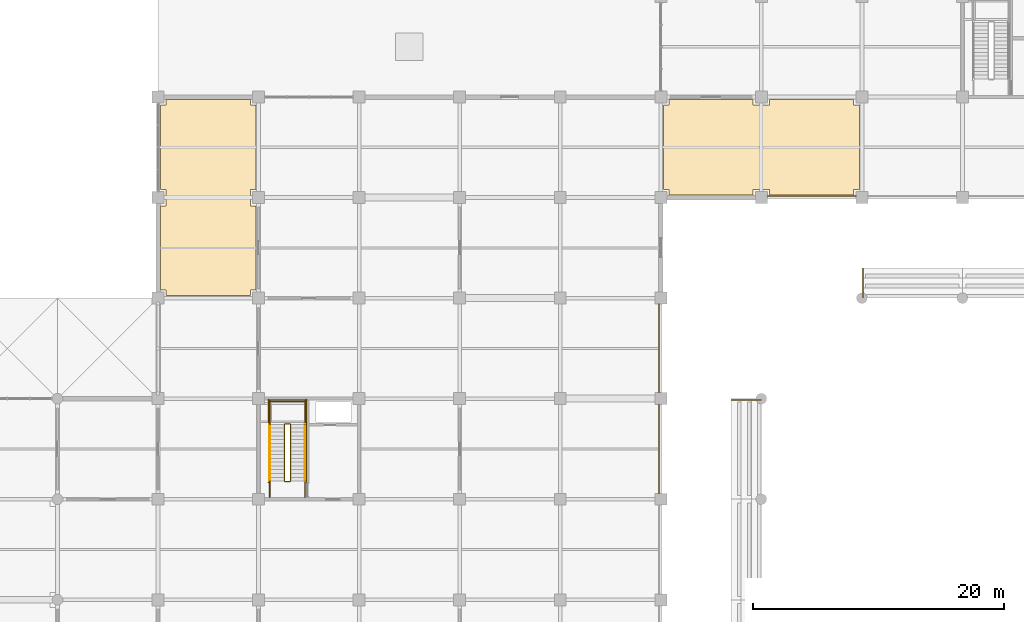
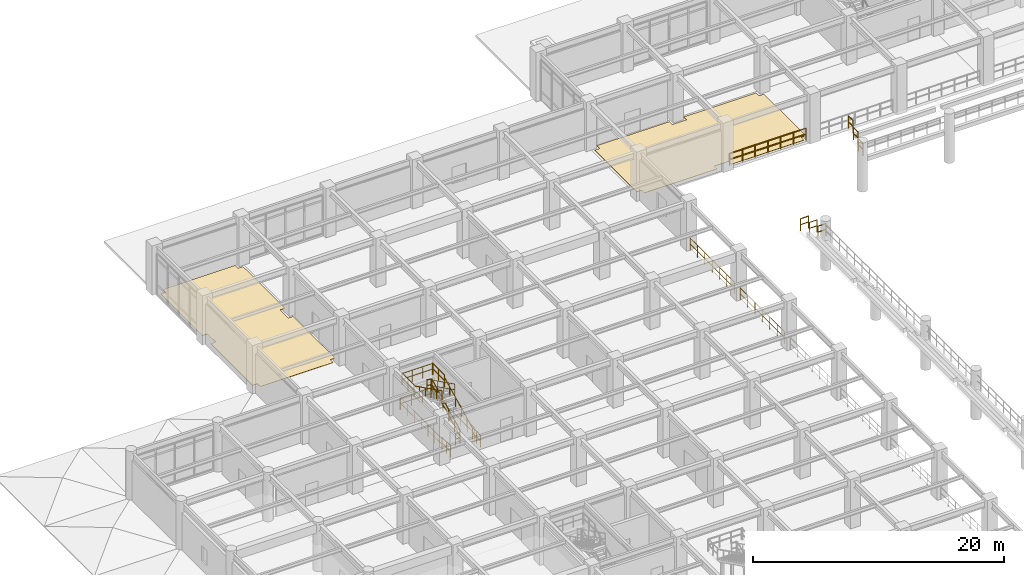
# One storey, part 106 of 109: 23 railings, 2 coverings.
"""IFC4 building model written with IfcOpenShell, lengths in metres."""

from ifc_helpers import new_model, si_unit, direction, frame, origin, origin_2d, place, context, subcontext, project, spatial, polyline, circle, outline, extrude, material, layer, layer_set, type_object, element, save


model = new_model("IFC4")

# Units and contexts
model_context = context("Model", 3, precision=1e-05, world=origin(), true_north=direction((0.0, 1.0)))
body_context = subcontext(model_context, "Body", "Model", "MODEL_VIEW")
ifc_project = project(units=[si_unit("LENGTHUNIT", "METRE"), si_unit("AREAUNIT", "SQUARE_METRE"), si_unit("VOLUMEUNIT", "CUBIC_METRE"), si_unit("PLANEANGLEUNIT", "RADIAN"), si_unit("MASSUNIT", "GRAM", prefix="KILO")], contexts=[model_context])

# Site, building, storey
site_placement = place(None, origin())
site = spatial("IfcSite", under=ifc_project, at=site_placement, CompositionType="ELEMENT")
building_placement = place(site_placement, origin())
building = spatial("IfcBuilding", under=site, at=building_placement, Name="Haebicheon Civic Stadium", CompositionType="ELEMENT")
storey_placement = place(building_placement, frame((0.0, 0.0, 9.60009765625)))
storey = spatial("IfcBuildingStorey", under=building, at=storey_placement, Name="L03", CompositionType="ELEMENT", Elevation=9.60009765625)

# Coverings
ifc_material_1 = material(Name="Quartz epoxy resin mortar", Category="concrete")
ifc_layer = layer(ifc_material_1, 0.030029296875, Name="Quartz epoxy resin mortar")
ifc_layer_set = layer_set([ifc_layer], Name="Quartz epoxy resin mortar")
covering_type = type_object("IfcCoveringType", Name="COV-FLR-EPX", PredefinedType="FLOORING", material=ifc_layer_set)
covering_1_placement = place(storey_placement, origin())
element("IfcCovering", 1, at=covering_1_placement, inside=storey, type_object=covering_type, material=ifc_layer_set, Name="L03 Sponsor Reception Suite non-slip floor finish", PredefinedType="FLOORING", context=body_context, shape_type="SweptSolid", body=[
    extrude(outline(polyline([(24.64990234375, 144.199951171875), (24.64990234375, 144.64990234375), (24.199951171875, 144.64990234375), (24.199951171875, 151.35009765625), (24.64990234375, 151.35009765625), (24.64990234375, 152.64990234375), (24.199951171875, 152.64990234375), (24.199951171875, 159.35009765625), (24.64990234375, 159.35009765625), (24.64990234375, 159.800048828125), (31.35009765625, 159.800048828125), (31.35009765625, 159.35009765625), (31.800048828125, 159.35009765625), (31.800048828125, 152.64990234375), (31.35009765625, 152.64990234375), (31.35009765625, 151.35009765625), (31.800048828125, 151.35009765625), (31.800048828125, 144.64990234375), (31.35009765625, 144.64990234375), (31.35009765625, 144.199951171875), (24.64990234375, 144.199951171875)])), origin(), (0.0, 0.0, 1.0), 0.02978515625),
])
covering_2_placement = place(storey_placement, origin())
element("IfcCovering", 2, at=covering_2_placement, inside=storey, type_object=covering_type, material=ifc_layer_set, Name="L03 East Bowl Club Concourse non-slip floor finish", PredefinedType="FLOORING", context=body_context, shape_type="SweptSolid", body=[
    extrude(outline(polyline([(64.199951171875, 159.35009765625), (64.64990234375, 159.35009765625), (64.64990234375, 159.800048828125), (71.35009765625, 159.800048828125), (71.35009765625, 159.35009765625), (72.64990234375, 159.35009765625), (72.64990234375, 159.800048828125), (79.35009765625, 159.800048828125), (79.35009765625, 159.35009765625), (79.800048828125, 159.35009765625), (79.800048828125, 152.64990234375), (79.35009765625, 152.64990234375), (79.35009765625, 152.199951171875), (72.64990234375, 152.199951171875), (72.64990234375, 152.64990234375), (71.35009765625, 152.64990234375), (71.35009765625, 152.199951171875), (64.64990234375, 152.199951171875), (64.64990234375, 152.64990234375), (64.199951171875, 152.64990234375), (64.199951171875, 159.35009765625)])), origin(), (0.0, 0.0, 1.0), 0.02978515625),
])

# Railings
ifc_material_2 = material(Name="Stainless steel 316 and laminated glass", Category="steel")
railing_type_1 = type_object("IfcRailingType", Name="RL-BAL-1200", PredefinedType="BALUSTRADE", material=ifc_material_2)
for number, where, name in (
    (3, (63.860107421875, 128.47509765625, 0.0), "L03 concourse bowl-edge balustrade 053"),
    (4, (63.860107421875, 136.47509765625, 0.0), "L03 concourse bowl-edge balustrade 054"),
):
    element("IfcRailing", number, at=place(storey_placement, frame(where)), inside=storey, type_object=railing_type_1, material=ifc_material_2, Name=name, PredefinedType="BALUSTRADE", context=body_context, shape_type="SweptSolid", body=[
        extrude(circle(Radius=0.02392578125, at=origin_2d()), frame((0.0, 0.0, 1.17578125), z_axis=(0.0, 1.0, 0.0), x_axis=(-1.0, 0.0, 0.0)), (0.0, 0.0, 1.0), 7.0498046875),
        extrude(circle(Radius=0.02392578125, at=origin_2d()), frame((0.0, 0.0, 0.60009765625), z_axis=(0.0, 1.0, 0.0), x_axis=(-1.0, 0.0, 0.0)), (0.0, 0.0, 1.0), 7.0498046875),
        extrude(circle(Radius=0.02099609375, at=origin_2d()), origin(), (0.0, 0.0, 1.0), 1.15185546875),
        extrude(circle(Radius=0.02099609375, at=origin_2d()), frame((0.0, 1.175048828125, 0.0)), (0.0, 0.0, 1.0), 1.15185546875),
        extrude(circle(Radius=0.02099609375, at=origin_2d()), frame((0.0, 2.349853515625, 0.0)), (0.0, 0.0, 1.0), 1.15185546875),
        extrude(circle(Radius=0.02099609375, at=origin_2d()), frame((0.0, 3.52490234375, 0.0)), (0.0, 0.0, 1.0), 1.15185546875),
        extrude(circle(Radius=0.02099609375, at=origin_2d()), frame((0.0, 4.699951171875, 0.0)), (0.0, 0.0, 1.0), 1.15185546875),
        extrude(circle(Radius=0.02099609375, at=origin_2d()), frame((0.0, 5.874755859375, 0.0)), (0.0, 0.0, 1.0), 1.15185546875),
        extrude(circle(Radius=0.02099609375, at=origin_2d()), frame((0.0, 7.0498046875, 0.0)), (0.0, 0.0, 1.0), 1.15185546875),
    ])
railing_1_placement = place(storey_placement, frame((72.47509765625, 152.139892578125, 0.0)))
element("IfcRailing", 5, at=railing_1_placement, inside=storey, type_object=railing_type_1, material=ifc_material_2, Name="L03 concourse bowl-edge balustrade 056", PredefinedType="BALUSTRADE", context=body_context, shape_type="SweptSolid", body=[
    extrude(circle(Radius=0.02392578125, at=origin_2d()), frame((0.0, 0.0, 1.17578125), z_axis=(1.0, 0.0, 0.0), x_axis=(0.0, 1.0, 0.0)), (0.0, 0.0, 1.0), 7.0498046875),
    extrude(circle(Radius=0.02392578125, at=origin_2d()), frame((0.0, 0.0, 0.60009765625), z_axis=(1.0, 0.0, 0.0), x_axis=(0.0, 1.0, 0.0)), (0.0, 0.0, 1.0), 7.0498046875),
    extrude(circle(Radius=0.02099609375, at=origin_2d()), origin(), (0.0, 0.0, 1.0), 1.15185546875),
    extrude(circle(Radius=0.02099609375, at=origin_2d()), frame((1.175048828125, 0.0, 0.0)), (0.0, 0.0, 1.0), 1.15185546875),
    extrude(circle(Radius=0.02099609375, at=origin_2d()), frame((2.349853515625, 0.0, 0.0)), (0.0, 0.0, 1.0), 1.15185546875),
    extrude(circle(Radius=0.02099609375, at=origin_2d()), frame((3.52490234375, 0.0, 0.0)), (0.0, 0.0, 1.0), 1.15185546875),
    extrude(circle(Radius=0.02099609375, at=origin_2d()), frame((4.699951171875, 0.0, 0.0)), (0.0, 0.0, 1.0), 1.15185546875),
    extrude(circle(Radius=0.02099609375, at=origin_2d()), frame((5.874755859375, 0.0, 0.0)), (0.0, 0.0, 1.0), 1.15185546875),
    extrude(circle(Radius=0.02099609375, at=origin_2d()), frame((7.0498046875, 0.0, 0.0)), (0.0, 0.0, 1.0), 1.15185546875),
])
for number, where, name in (
    (6, (71.239990234375, 135.89990234375, 3.199951171875), "TIER-W-U end-aisle side guard N.1"),
    (7, (70.43994140625, 135.89990234375, 3.843994140625), "TIER-W-U end-aisle side guard N.2"),
):
    element("IfcRailing", number, at=place(storey_placement, frame(where)), inside=storey, type_object=railing_type_1, material=ifc_material_2, Name=name, PredefinedType="BALUSTRADE", context=body_context, shape_type="SweptSolid", body=[
        extrude(circle(Radius=0.02392578125, at=origin_2d()), frame((0.0, 0.0, 1.17578125), z_axis=(1.0, 0.0, 0.0), x_axis=(0.0, 1.0, 0.0)), (0.0, 0.0, 1.0), 0.719970703125),
        extrude(circle(Radius=0.02392578125, at=origin_2d()), frame((0.0, 0.0, 0.60009765625), z_axis=(1.0, 0.0, 0.0), x_axis=(0.0, 1.0, 0.0)), (0.0, 0.0, 1.0), 0.719970703125),
        extrude(circle(Radius=0.02099609375, at=origin_2d()), origin(), (0.0, 0.0, 1.0), 1.15185546875),
        extrude(circle(Radius=0.02099609375, at=origin_2d()), frame((0.719970703125, 0.0, 0.0)), (0.0, 0.0, 1.0), 1.15185546875),
    ])
railing_2_placement = place(storey_placement, frame((69.639892578125, 135.89990234375, 4.489013671875)))
element("IfcRailing", 8, at=railing_2_placement, inside=storey, type_object=railing_type_1, material=ifc_material_2, Name="TIER-W-U end-aisle side guard N.3", PredefinedType="BALUSTRADE", context=body_context, shape_type="SweptSolid", body=[
    extrude(circle(Radius=0.02392578125, at=origin_2d()), frame((0.0, 0.0, 1.17578125), z_axis=(1.0, 0.0, 0.0), x_axis=(0.0, 1.0, 0.0)), (0.0, 0.0, 1.0), 0.72021484375),
    extrude(circle(Radius=0.02392578125, at=origin_2d()), frame((0.0, 0.0, 0.60009765625), z_axis=(1.0, 0.0, 0.0), x_axis=(0.0, 1.0, 0.0)), (0.0, 0.0, 1.0), 0.72021484375),
    extrude(circle(Radius=0.02099609375, at=origin_2d()), origin(), (0.0, 0.0, 1.0), 1.15185546875),
    extrude(circle(Radius=0.02099609375, at=origin_2d()), frame((0.72021484375, 0.0, 0.0)), (0.0, 0.0, 1.0), 1.15185546875),
])
for number, where, name in (
    (9, (80.10009765625, 144.0400390625, 3.199951171875), "TIER-N-U end-aisle side guard W.1"),
    (10, (80.10009765625, 144.840087890625, 3.843994140625), "TIER-N-U end-aisle side guard W.2"),
):
    element("IfcRailing", number, at=place(storey_placement, frame(where)), inside=storey, type_object=railing_type_1, material=ifc_material_2, Name=name, PredefinedType="BALUSTRADE", context=body_context, shape_type="SweptSolid", body=[
        extrude(circle(Radius=0.02392578125, at=origin_2d()), frame((0.0, 0.0, 1.17578125), z_axis=(0.0, 1.0, 0.0), x_axis=(-1.0, 0.0, 0.0)), (0.0, 0.0, 1.0), 0.719970703125),
        extrude(circle(Radius=0.02392578125, at=origin_2d()), frame((0.0, 0.0, 0.60009765625), z_axis=(0.0, 1.0, 0.0), x_axis=(-1.0, 0.0, 0.0)), (0.0, 0.0, 1.0), 0.719970703125),
        extrude(circle(Radius=0.02099609375, at=origin_2d()), origin(), (0.0, 0.0, 1.0), 1.15185546875),
        extrude(circle(Radius=0.02099609375, at=origin_2d()), frame((0.0, 0.719970703125, 0.0)), (0.0, 0.0, 1.0), 1.15185546875),
    ])
railing_3_placement = place(storey_placement, frame((80.10009765625, 145.639892578125, 4.489013671875)))
element("IfcRailing", 11, at=railing_3_placement, inside=storey, type_object=railing_type_1, material=ifc_material_2, Name="TIER-N-U end-aisle side guard W.3", PredefinedType="BALUSTRADE", context=body_context, shape_type="SweptSolid", body=[
    extrude(circle(Radius=0.02392578125, at=origin_2d()), frame((0.0, 0.0, 1.17578125), z_axis=(0.0, 1.0, 0.0), x_axis=(-1.0, 0.0, 0.0)), (0.0, 0.0, 1.0), 0.72021484375),
    extrude(circle(Radius=0.02392578125, at=origin_2d()), frame((0.0, 0.0, 0.60009765625), z_axis=(0.0, 1.0, 0.0), x_axis=(-1.0, 0.0, 0.0)), (0.0, 0.0, 1.0), 0.72021484375),
    extrude(circle(Radius=0.02099609375, at=origin_2d()), origin(), (0.0, 0.0, 1.0), 1.15185546875),
    extrude(circle(Radius=0.02099609375, at=origin_2d()), frame((0.0, 0.72021484375, 0.0)), (0.0, 0.0, 1.0), 1.15185546875),
])
ifc_material_3 = material(Name="Galvanised painted steel SM355", Category="steel")
railing_type_2 = type_object("IfcRailingType", Name="RL-GRD-1150", PredefinedType="GUARDRAIL", material=ifc_material_3)
railing_4_placement = place(storey_placement, frame((34.530029296875, 129.449951171875, 0.14990234375)))
element("IfcRailing", 12, at=railing_4_placement, inside=storey, type_object=railing_type_2, material=ifc_material_3, Name="L03 ST-05 stair guard 1", PredefinedType="GUARDRAIL", context=body_context, shape_type="SweptSolid", body=[
    extrude(circle(Radius=0.02392578125, at=origin_2d()), frame((0.0, 0.0, 1.1259765625), z_axis=(0.0, 0.894427191, 0.4472135955), x_axis=(-1.0, 0.0, 0.0)), (0.0, 0.0, 1.0), 5.03125),
    extrude(circle(Radius=0.02392578125, at=origin_2d()), frame((0.0, 0.0, 0.574951171875), z_axis=(0.0, 0.894427191, 0.4472135955), x_axis=(-1.0, 0.0, 0.0)), (0.0, 0.0, 1.0), 5.03125),
    extrude(circle(Radius=0.02099609375, at=origin_2d()), origin(), (0.0, 0.0, 1.0), 1.101806640625),
    extrude(circle(Radius=0.02099609375, at=origin_2d()), frame((0.0, 0.89990234375, 0.449951171875)), (0.0, 0.0, 1.0), 1.101806640625),
    extrude(circle(Radius=0.02099609375, at=origin_2d()), frame((0.0, 1.800048828125, 0.89990234375)), (0.0, 0.0, 1.0), 1.101806640625),
    extrude(circle(Radius=0.02099609375, at=origin_2d()), frame((0.0, 2.699951171875, 1.35009765625)), (0.0, 0.0, 1.0), 1.101806640625),
    extrude(circle(Radius=0.02099609375, at=origin_2d()), frame((0.0, 3.60009765625, 1.800048828125)), (0.0, 0.0, 1.0), 1.101806640625),
    extrude(circle(Radius=0.02099609375, at=origin_2d()), frame((0.0, 4.5, 2.25)), (0.0, 0.0, 1.0), 1.101806640625),
])
railing_5_placement = place(storey_placement, frame((34.47998046875, 134.0, 2.39990234375)))
element("IfcRailing", 13, at=railing_5_placement, inside=storey, type_object=railing_type_2, material=ifc_material_3, Name="L03 ST-05 stair guard 2", PredefinedType="GUARDRAIL", context=body_context, shape_type="SweptSolid", body=[
    extrude(circle(Radius=0.02392578125, at=origin_2d()), frame((0.0, 0.0, 1.1259765625), z_axis=(-1.0, 0.0, 0.0), x_axis=(0.0, -1.0, 0.0)), (0.0, 0.0, 1.0), 0.3798828125),
    extrude(circle(Radius=0.02392578125, at=origin_2d()), frame((0.0, 0.0, 0.574951171875), z_axis=(-1.0, 0.0, 0.0), x_axis=(0.0, -1.0, 0.0)), (0.0, 0.0, 1.0), 0.3798828125),
    extrude(circle(Radius=0.02099609375, at=origin_2d()), origin(), (0.0, 0.0, 1.0), 1.101806640625),
    extrude(circle(Radius=0.02099609375, at=origin_2d()), frame((-0.3798828125, 0.0, 0.0)), (0.0, 0.0, 1.0), 1.101806640625),
])
for number, where, name in (
    (14, (35.68994140625, 133.949951171875, 2.39990234375), "L03 ST-05 stair guard 3"),
    (15, (32.889892578125, 133.949951171875, 2.39990234375), "L03 ST-05 stair guard 4"),
):
    element("IfcRailing", number, at=place(storey_placement, frame(where)), inside=storey, type_object=railing_type_2, material=ifc_material_3, Name=name, PredefinedType="GUARDRAIL", context=body_context, shape_type="SweptSolid", body=[
        extrude(circle(Radius=0.02392578125, at=origin_2d()), frame((0.0, 0.0, 1.1259765625), z_axis=(0.0, 1.0, 0.0), x_axis=(-1.0, 0.0, 0.0)), (0.0, 0.0, 1.0), 1.89013671875),
        extrude(circle(Radius=0.02392578125, at=origin_2d()), frame((0.0, 0.0, 0.574951171875), z_axis=(0.0, 1.0, 0.0), x_axis=(-1.0, 0.0, 0.0)), (0.0, 0.0, 1.0), 1.89013671875),
        extrude(circle(Radius=0.02099609375, at=origin_2d()), origin(), (0.0, 0.0, 1.0), 1.101806640625),
        extrude(circle(Radius=0.02099609375, at=origin_2d()), frame((0.0, 0.945068359375, 0.0)), (0.0, 0.0, 1.0), 1.101806640625),
        extrude(circle(Radius=0.02099609375, at=origin_2d()), frame((0.0, 1.89013671875, 0.0)), (0.0, 0.0, 1.0), 1.101806640625),
    ])
railing_6_placement = place(storey_placement, frame((35.739990234375, 135.7900390625, 2.39990234375)))
element("IfcRailing", 16, at=railing_6_placement, inside=storey, type_object=railing_type_2, material=ifc_material_3, Name="L03 ST-05 stair guard 5", PredefinedType="GUARDRAIL", context=body_context, shape_type="SweptSolid", body=[
    extrude(circle(Radius=0.02392578125, at=origin_2d()), frame((0.0, 0.0, 1.1259765625), z_axis=(-1.0, 0.0, 0.0), x_axis=(0.0, -1.0, 0.0)), (0.0, 0.0, 1.0), 2.89990234375),
    extrude(circle(Radius=0.02392578125, at=origin_2d()), frame((0.0, 0.0, 0.574951171875), z_axis=(-1.0, 0.0, 0.0), x_axis=(0.0, -1.0, 0.0)), (0.0, 0.0, 1.0), 2.89990234375),
    extrude(circle(Radius=0.02099609375, at=origin_2d()), origin(), (0.0, 0.0, 1.0), 1.101806640625),
    extrude(circle(Radius=0.02099609375, at=origin_2d()), frame((-0.966552734375, 0.0, 0.0)), (0.0, 0.0, 1.0), 1.101806640625),
    extrude(circle(Radius=0.02099609375, at=origin_2d()), frame((-1.933349609375, 0.0, 0.0)), (0.0, 0.0, 1.0), 1.101806640625),
    extrude(circle(Radius=0.02099609375, at=origin_2d()), frame((-2.89990234375, 0.0, 0.0)), (0.0, 0.0, 1.0), 1.101806640625),
])
railing_7_placement = place(storey_placement, frame((34.050048828125, 133.949951171875, 2.5498046875)))
element("IfcRailing", 17, at=railing_7_placement, inside=storey, type_object=railing_type_2, material=ifc_material_3, Name="L03 ST-05 stair guard 6", PredefinedType="GUARDRAIL", context=body_context, shape_type="SweptSolid", body=[
    extrude(circle(Radius=0.02392578125, at=origin_2d()), frame((0.0, 0.0, 1.1259765625), z_axis=(0.0, -0.894427191, 0.4472135955), x_axis=(1.0, 0.0, 0.0)), (0.0, 0.0, 1.0), 5.03125),
    extrude(circle(Radius=0.02392578125, at=origin_2d()), frame((0.0, 0.0, 0.574951171875), z_axis=(0.0, -0.894427191, 0.4472135955), x_axis=(1.0, 0.0, 0.0)), (0.0, 0.0, 1.0), 5.03125),
    extrude(circle(Radius=0.02099609375, at=origin_2d()), origin(), (0.0, 0.0, 1.0), 1.101806640625),
    extrude(circle(Radius=0.02099609375, at=origin_2d()), frame((0.0, -0.89990234375, 0.449951171875)), (0.0, 0.0, 1.0), 1.101806640625),
    extrude(circle(Radius=0.02099609375, at=origin_2d()), frame((0.0, -1.800048828125, 0.89990234375)), (0.0, 0.0, 1.0), 1.101806640625),
    extrude(circle(Radius=0.02099609375, at=origin_2d()), frame((0.0, -2.699951171875, 1.35009765625)), (0.0, 0.0, 1.0), 1.101806640625),
    extrude(circle(Radius=0.02099609375, at=origin_2d()), frame((0.0, -3.60009765625, 1.800048828125)), (0.0, 0.0, 1.0), 1.101806640625),
    extrude(circle(Radius=0.02099609375, at=origin_2d()), frame((0.0, -4.5, 2.25)), (0.0, 0.0, 1.0), 1.101806640625),
])
railing_8_placement = place(storey_placement, frame((34.47998046875, 129.39990234375, 0.0)))
element("IfcRailing", 18, at=railing_8_placement, inside=storey, type_object=railing_type_2, material=ifc_material_3, Name="L03 ST-05 stair guard 7", PredefinedType="GUARDRAIL", context=body_context, shape_type="SweptSolid", body=[
    extrude(circle(Radius=0.02392578125, at=origin_2d()), frame((0.0, 0.0, 1.1259765625), z_axis=(-1.0, 0.0, 0.0), x_axis=(0.0, -1.0, 0.0)), (0.0, 0.0, 1.0), 0.3798828125),
    extrude(circle(Radius=0.02392578125, at=origin_2d()), frame((0.0, 0.0, 0.574951171875), z_axis=(-1.0, 0.0, 0.0), x_axis=(0.0, -1.0, 0.0)), (0.0, 0.0, 1.0), 0.3798828125),
    extrude(circle(Radius=0.02099609375, at=origin_2d()), origin(), (0.0, 0.0, 1.0), 1.101806640625),
    extrude(circle(Radius=0.02099609375, at=origin_2d()), frame((-0.3798828125, 0.0, 0.0)), (0.0, 0.0, 1.0), 1.101806640625),
])
for number, where, name in (
    (19, (35.68994140625, 128.159912109375, 0.0), "L03 ST-05 stair guard 8"),
    (20, (32.889892578125, 128.159912109375, 0.0), "L03 ST-05 stair guard 9"),
):
    element("IfcRailing", number, at=place(storey_placement, frame(where)), inside=storey, type_object=railing_type_2, material=ifc_material_3, Name=name, PredefinedType="GUARDRAIL", context=body_context, shape_type="SweptSolid", body=[
        extrude(circle(Radius=0.02392578125, at=origin_2d()), frame((0.0, 0.0, 1.1259765625), z_axis=(0.0, 1.0, 0.0), x_axis=(-1.0, 0.0, 0.0)), (0.0, 0.0, 1.0), 1.2900390625),
        extrude(circle(Radius=0.02392578125, at=origin_2d()), frame((0.0, 0.0, 0.574951171875), z_axis=(0.0, 1.0, 0.0), x_axis=(-1.0, 0.0, 0.0)), (0.0, 0.0, 1.0), 1.2900390625),
        extrude(circle(Radius=0.02099609375, at=origin_2d()), origin(), (0.0, 0.0, 1.0), 1.101806640625),
        extrude(circle(Radius=0.02099609375, at=origin_2d()), frame((0.0, 0.64501953125, 0.0)), (0.0, 0.0, 1.0), 1.101806640625),
        extrude(circle(Radius=0.02099609375, at=origin_2d()), frame((0.0, 1.2900390625, 0.0)), (0.0, 0.0, 1.0), 1.101806640625),
    ])
for number, where, name in (
    (21, (35.7900390625, 129.35009765625, 0.0), "L03 ST-05 stair guard 10"),
    (22, (32.7900390625, 129.35009765625, 0.0), "L03 ST-05 stair guard 11"),
):
    element("IfcRailing", number, at=place(storey_placement, frame(where)), inside=storey, type_object=railing_type_2, material=ifc_material_3, Name=name, PredefinedType="GUARDRAIL", context=body_context, shape_type="SweptSolid", body=[
        extrude(circle(Radius=0.02392578125, at=origin_2d()), frame((0.0, 0.0, 1.1259765625), z_axis=(0.0, 1.0, 0.0), x_axis=(-1.0, 0.0, 0.0)), (0.0, 0.0, 1.0), 6.58984375),
        extrude(circle(Radius=0.02392578125, at=origin_2d()), frame((0.0, 0.0, 0.574951171875), z_axis=(0.0, 1.0, 0.0), x_axis=(-1.0, 0.0, 0.0)), (0.0, 0.0, 1.0), 6.58984375),
        extrude(circle(Radius=0.02099609375, at=origin_2d()), origin(), (0.0, 0.0, 1.0), 1.101806640625),
        extrude(circle(Radius=0.02099609375, at=origin_2d()), frame((0.0, 1.098388671875, 0.0)), (0.0, 0.0, 1.0), 1.101806640625),
        extrude(circle(Radius=0.02099609375, at=origin_2d()), frame((0.0, 2.196533203125, 0.0)), (0.0, 0.0, 1.0), 1.101806640625),
        extrude(circle(Radius=0.02099609375, at=origin_2d()), frame((0.0, 3.294921875, 0.0)), (0.0, 0.0, 1.0), 1.101806640625),
        extrude(circle(Radius=0.02099609375, at=origin_2d()), frame((0.0, 4.393310546875, 0.0)), (0.0, 0.0, 1.0), 1.101806640625),
        extrude(circle(Radius=0.02099609375, at=origin_2d()), frame((0.0, 5.491455078125, 0.0)), (0.0, 0.0, 1.0), 1.101806640625),
        extrude(circle(Radius=0.02099609375, at=origin_2d()), frame((0.0, 6.58984375, 0.0)), (0.0, 0.0, 1.0), 1.101806640625),
    ])
railing_9_placement = place(storey_placement, frame((35.840087890625, 135.889892578125, 0.0)))
element("IfcRailing", 23, at=railing_9_placement, inside=storey, type_object=railing_type_2, material=ifc_material_3, Name="L03 ST-05 stair guard 12", PredefinedType="GUARDRAIL", context=body_context, shape_type="SweptSolid", body=[
    extrude(circle(Radius=0.02392578125, at=origin_2d()), frame((0.0, 0.0, 1.1259765625), z_axis=(-1.0, 0.0, 0.0), x_axis=(0.0, -1.0, 0.0)), (0.0, 0.0, 1.0), 3.10009765625),
    extrude(circle(Radius=0.02392578125, at=origin_2d()), frame((0.0, 0.0, 0.574951171875), z_axis=(-1.0, 0.0, 0.0), x_axis=(0.0, -1.0, 0.0)), (0.0, 0.0, 1.0), 3.10009765625),
    extrude(circle(Radius=0.02099609375, at=origin_2d()), origin(), (0.0, 0.0, 1.0), 1.101806640625),
    extrude(circle(Radius=0.02099609375, at=origin_2d()), frame((-1.033447265625, 0.0, 0.0)), (0.0, 0.0, 1.0), 1.101806640625),
    extrude(circle(Radius=0.02099609375, at=origin_2d()), frame((-2.066650390625, 0.0, 0.0)), (0.0, 0.0, 1.0), 1.101806640625),
    extrude(circle(Radius=0.02099609375, at=origin_2d()), frame((-3.10009765625, 0.0, 0.0)), (0.0, 0.0, 1.0), 1.101806640625),
])
ifc_material_4 = material(Name="Stainless steel 316", Category="steel")
railing_type_3 = type_object("IfcRailingType", Name="RL-HND-900", PredefinedType="HANDRAIL", material=ifc_material_4)
railing_10_placement = place(storey_placement, frame((35.68994140625, 129.449951171875, 0.14990234375)))
element("IfcRailing", 24, at=railing_10_placement, inside=storey, type_object=railing_type_3, material=ifc_material_4, Name="L03 ST-05 stair handrail 1", PredefinedType="HANDRAIL", context=body_context, shape_type="SweptSolid", body=[
    extrude(circle(Radius=0.02392578125, at=origin_2d()), frame((0.0, 0.0, 0.8759765625), z_axis=(0.0, 0.894427191, 0.4472135955), x_axis=(-1.0, 0.0, 0.0)), (0.0, 0.0, 1.0), 5.03125),
    extrude(circle(Radius=0.02099609375, at=origin_2d()), origin(), (0.0, 0.0, 1.0), 0.851806640625),
    extrude(circle(Radius=0.02099609375, at=origin_2d()), frame((0.0, 0.89990234375, 0.449951171875)), (0.0, 0.0, 1.0), 0.851806640625),
    extrude(circle(Radius=0.02099609375, at=origin_2d()), frame((0.0, 1.800048828125, 0.89990234375)), (0.0, 0.0, 1.0), 0.851806640625),
    extrude(circle(Radius=0.02099609375, at=origin_2d()), frame((0.0, 2.699951171875, 1.35009765625)), (0.0, 0.0, 1.0), 0.851806640625),
    extrude(circle(Radius=0.02099609375, at=origin_2d()), frame((0.0, 3.60009765625, 1.800048828125)), (0.0, 0.0, 1.0), 0.851806640625),
    extrude(circle(Radius=0.02099609375, at=origin_2d()), frame((0.0, 4.5, 2.25)), (0.0, 0.0, 1.0), 0.851806640625),
])
railing_11_placement = place(storey_placement, frame((32.889892578125, 133.949951171875, 2.5498046875)))
element("IfcRailing", 25, at=railing_11_placement, inside=storey, type_object=railing_type_3, material=ifc_material_4, Name="L03 ST-05 stair handrail 2", PredefinedType="HANDRAIL", context=body_context, shape_type="SweptSolid", body=[
    extrude(circle(Radius=0.02392578125, at=origin_2d()), frame((0.0, 0.0, 0.8759765625), z_axis=(0.0, -0.894427191, 0.4472135955), x_axis=(1.0, 0.0, 0.0)), (0.0, 0.0, 1.0), 5.03125),
    extrude(circle(Radius=0.02099609375, at=origin_2d()), origin(), (0.0, 0.0, 1.0), 0.851806640625),
    extrude(circle(Radius=0.02099609375, at=origin_2d()), frame((0.0, -0.89990234375, 0.449951171875)), (0.0, 0.0, 1.0), 0.851806640625),
    extrude(circle(Radius=0.02099609375, at=origin_2d()), frame((0.0, -1.800048828125, 0.89990234375)), (0.0, 0.0, 1.0), 0.851806640625),
    extrude(circle(Radius=0.02099609375, at=origin_2d()), frame((0.0, -2.699951171875, 1.35009765625)), (0.0, 0.0, 1.0), 0.851806640625),
    extrude(circle(Radius=0.02099609375, at=origin_2d()), frame((0.0, -3.60009765625, 1.800048828125)), (0.0, 0.0, 1.0), 0.851806640625),
    extrude(circle(Radius=0.02099609375, at=origin_2d()), frame((0.0, -4.5, 2.25)), (0.0, 0.0, 1.0), 0.851806640625),
])

save(model, "model.ifc")
